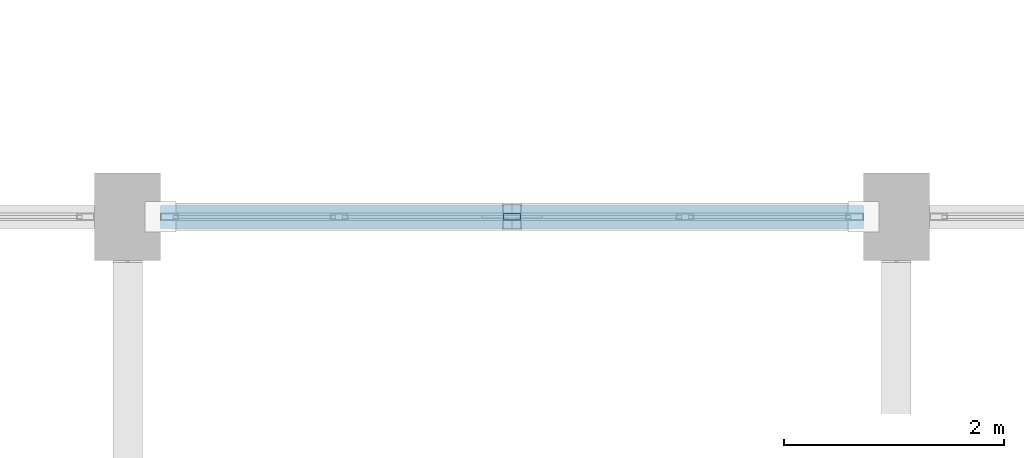
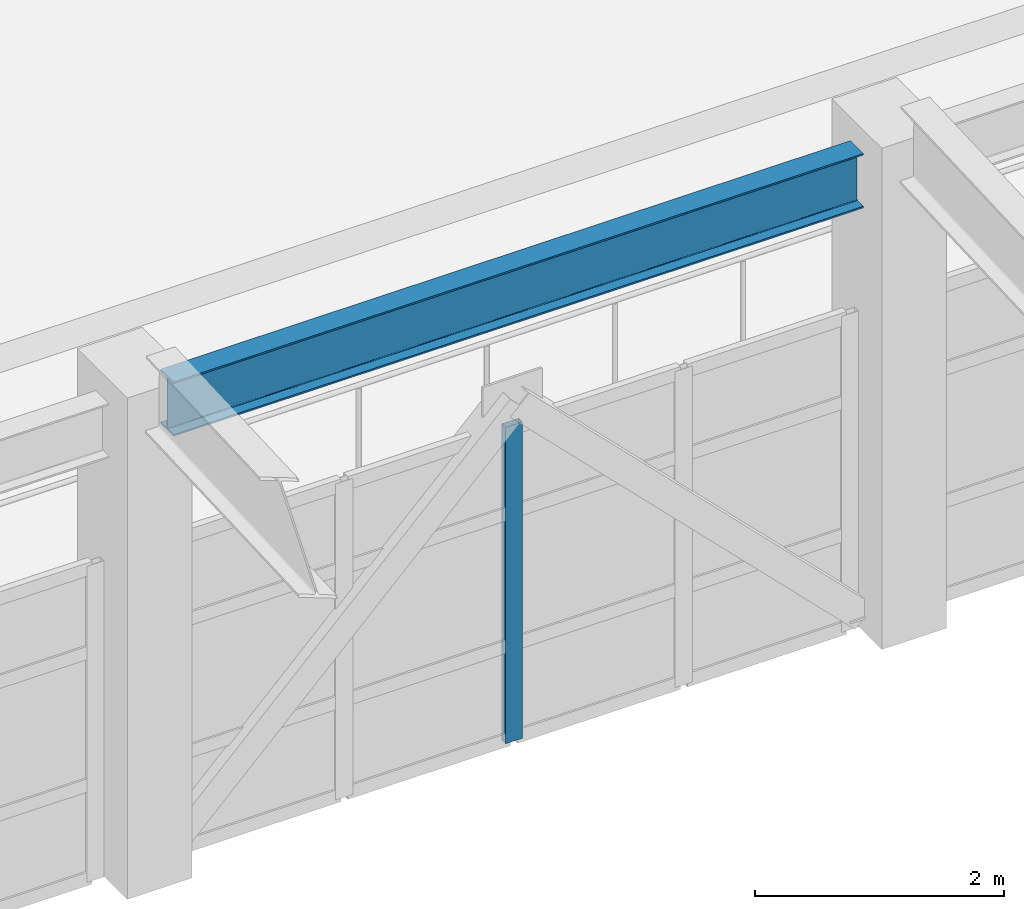
# One storey, part 14 of 150: 1 beam, 1 member, 1 element without a shape of its own.
"""IFC4 building model written with IfcOpenShell, lengths in metres."""

from ifc_helpers import new_model, si_unit, direction, frame, origin, origin_2d, place, context, subcontext, project, spatial, hollow_rectangle, i_section, extrude, material, material_profile, profile_set, type_object, element, aggregate, save


model = new_model("IFC4")

# Units and contexts
model_context = context("Model", 3, precision=1e-05, world=origin(), true_north=direction((0.0, 1.0)))
body_context = subcontext(model_context, "Body", "Model", "MODEL_VIEW")
ifc_project = project(units=[si_unit("LENGTHUNIT", "METRE"), si_unit("AREAUNIT", "SQUARE_METRE"), si_unit("VOLUMEUNIT", "CUBIC_METRE"), si_unit("PLANEANGLEUNIT", "RADIAN"), si_unit("MASSUNIT", "GRAM", prefix="KILO")], contexts=[model_context])

# Site, building, storey
site_placement = place(None, origin())
site = spatial("IfcSite", under=ifc_project, at=site_placement, CompositionType="ELEMENT")
building_placement = place(site_placement, origin())
building = spatial("IfcBuilding", under=site, at=building_placement, Name="Kestramere Prow Commons", CompositionType="ELEMENT")
storey_placement = place(building_placement, frame((0.0, 0.0, 4.5)))
storey = spatial("IfcBuildingStorey", under=building, at=storey_placement, Name="L01", CompositionType="ELEMENT", Elevation=4.5)

# Beam
ifc_material_1 = material(Name="Steel S355JR", Category="steel")
ifc_material_profile_1 = material_profile(ifc_material_1, i_section(OverallWidth=0.209228515625, OverallDepth=0.533203125, WebThickness=0.010009765625, FlangeThickness=0.015625, FilletRadius=0.0126953125, at=origin_2d()), Name="UB 533x210x92")
ifc_profile_set_1 = profile_set([ifc_material_profile_1], Name="Steel S355JR")
beam_type = type_object("IfcBeamType", Name="BM-HL-GAL UB 533x210x92 (EX)", PredefinedType="BEAM", material=ifc_profile_set_1)
beam_placement = place(storey_placement, frame((30.5, 43.5, 4.418701171875), z_axis=(1.0, 0.0, 0.0), x_axis=(0.0, 1.0, 0.0)))
element("IfcBeam", 1, at=beam_placement, inside=storey, type_object=beam_type, Name="Hall Roof Eave Tie Girder 5N", PredefinedType="BEAM", context=body_context, shape_type="SweptSolid", body=[
    extrude(i_section(OverallWidth=0.209228515625, OverallDepth=0.533203125, WebThickness=0.010009765625, FlangeThickness=0.015625, FilletRadius=0.0126953125, at=origin_2d()), origin(), (0.0, 0.0, 1.0), 6.39990234375),
])

# Curtain wall, member
ifc_material_2 = material(Name="Anodised Aluminium and Low-E Glass", Category="aluminium")
curtain_wall_type = type_object("IfcCurtainWallType", Name="CW-12 Glazed Curtain Wall 6300x3100", PredefinedType="USERDEFINED", material=ifc_material_2)
curtain_wall_placement = place(storey_placement, origin())
curtain_wall = element("IfcCurtainWall", 2, at=curtain_wall_placement, inside=storey, type_object=curtain_wall_type, Name="Hall North Clerestory Curtain Wall L01-5", ObjectType="GLAZED CURTAIN WALL", PredefinedType="USERDEFINED")
ifc_material_3 = material(Name="Anodised Aluminium 6063-T6", Category="aluminium")
ifc_material_profile_2 = material_profile(ifc_material_3, hollow_rectangle(XDim=0.06494140625, YDim=0.159912109375, WallThickness=0.00390625, at=origin_2d()), Name="ALU-MUL 65x160")
ifc_profile_set_2 = profile_set([ifc_material_profile_2], Name="Anodised Aluminium 6063-T6")
member_type = type_object("IfcMemberType", Name="CW-MUL-65x160", PredefinedType="MULLION", material=ifc_profile_set_2)
member_placement = place(storey_placement, frame((33.699951171875, 43.5, 0.0), z_axis=(0.0, 0.0, 1.0), x_axis=(0.0, 1.0, 0.0)))
member = element("IfcMember", 3, at=member_placement, type_object=member_type, Name="CW-12 mullion 3", PredefinedType="MULLION", context=body_context, shape_type="SweptSolid", body=[
    extrude(hollow_rectangle(XDim=0.06494140625, YDim=0.159912109375, WallThickness=0.00390625, at=origin_2d()), origin(), (0.0, 0.0, 1.0), 3.10009765625),
])
aggregate(curtain_wall, [member])

save(model, "model.ifc")
